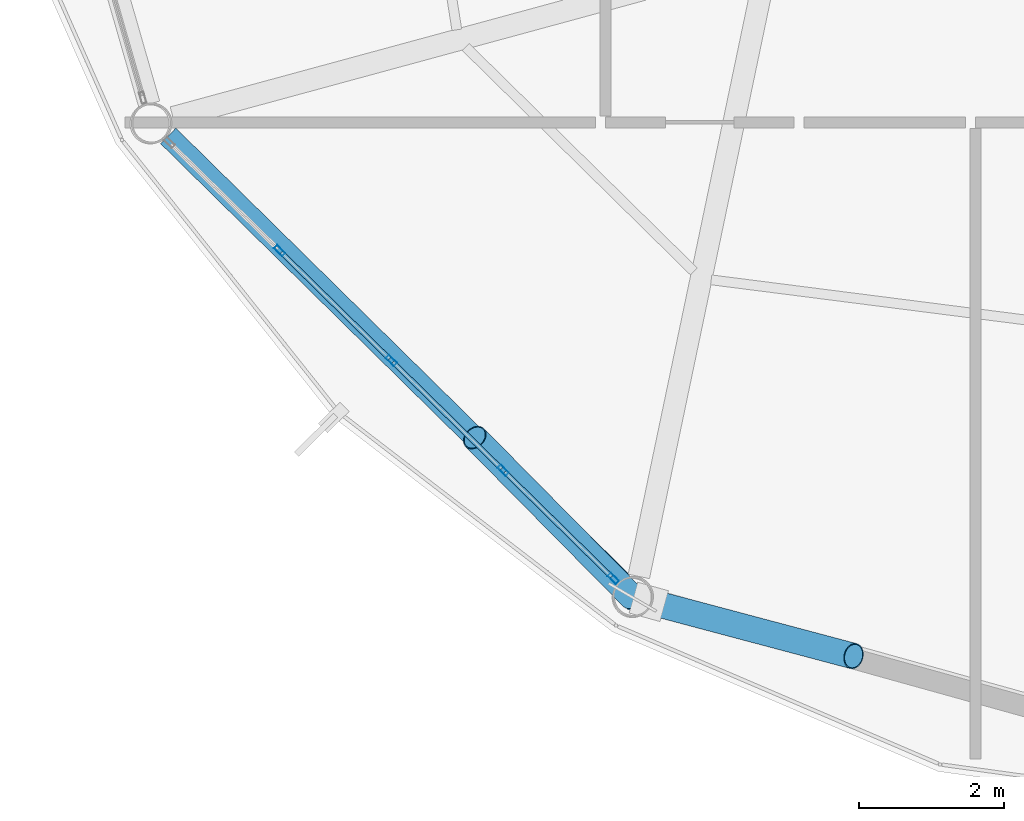
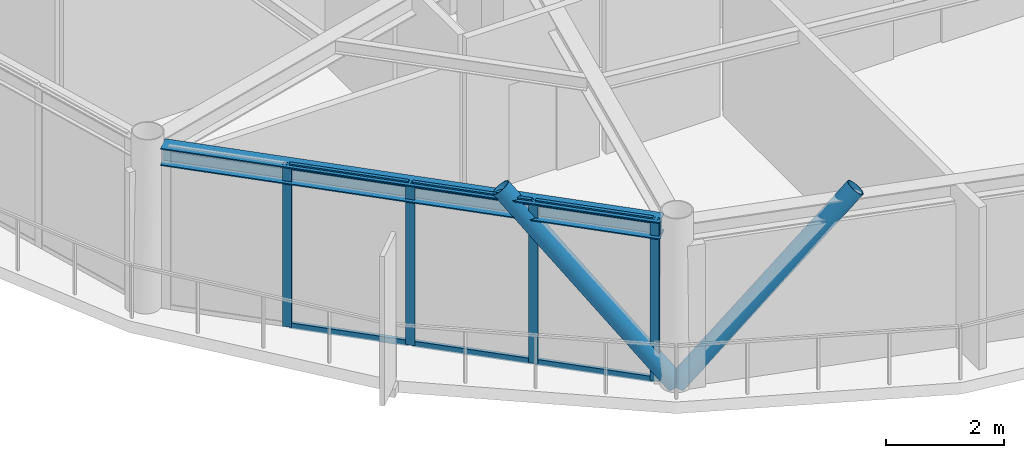
# One storey, part 2 of 25: 12 members, 1 beam, 1 element without a shape of its own.
"""IFC4 building model written with IfcOpenShell, lengths in metres."""

from ifc_helpers import new_model, si_unit, direction, frame, origin, origin_2d, place, context, subcontext, project, spatial, hollow_rectangle, hollow_circle, i_section, extrude, material, layer, layer_set, material_profile, profile_set, type_object, element, aggregate, save


model = new_model("IFC4")

# Units and contexts
model_context = context("Model", 3, precision=1e-05, world=origin(), true_north=direction((0.0, 1.0)))
body_context = subcontext(model_context, "Body", "Model", "MODEL_VIEW")
ifc_project = project(units=[si_unit("LENGTHUNIT", "METRE"), si_unit("AREAUNIT", "SQUARE_METRE"), si_unit("VOLUMEUNIT", "CUBIC_METRE"), si_unit("PLANEANGLEUNIT", "RADIAN"), si_unit("MASSUNIT", "GRAM", prefix="KILO")], contexts=[model_context])

# Site, building, storey
site_placement = place(None, origin())
site = spatial("IfcSite", under=ifc_project, at=site_placement, CompositionType="ELEMENT")
building_placement = place(site_placement, origin())
building = spatial("IfcBuilding", under=site, at=building_placement, Name="Varnakorn Sky Granary", CompositionType="ELEMENT")
storey_placement = place(building_placement, frame((0.0, 0.0, 259.800048828125)))
storey = spatial("IfcBuildingStorey", under=building, at=storey_placement, Name="L66", CompositionType="ELEMENT", Elevation=259.800048828125)

# Beam
ifc_material_1 = material(Name="Steel S355JR", Category="steel")
ifc_material_profile_1 = material_profile(ifc_material_1, i_section(OverallWidth=0.300048828125, OverallDepth=0.360107421875, WebThickness=0.012451171875, FlangeThickness=0.0224609375, at=origin_2d()), Name="HE 360 B")
ifc_profile_set_1 = profile_set([ifc_material_profile_1], Name="Steel S355JR")
beam_type = type_object("IfcBeamType", Name="BM-SPD-Z5", PredefinedType="SPANDREL", material=ifc_profile_set_1)
beam_placement = place(storey_placement, frame((-10.626953125, -9.08642578125, 3.179931640625), z_axis=(0.712727559125, -0.701440964347, 0.0), x_axis=(0.701440964347, 0.712727559125, 0.0)))
element("IfcBeam", 1, at=beam_placement, inside=storey, type_object=beam_type, Name="Perimeter Spandrel Ring Beam RB08 L66", PredefinedType="SPANDREL", context=body_context, shape_type="SweptSolid", body=[
    extrude(i_section(OverallWidth=0.300048828125, OverallDepth=0.360107421875, WebThickness=0.012451171875, FlangeThickness=0.0224609375, at=origin_2d()), origin(), (0.0, 0.0, 1.0), 8.760498046875),
])

# Curtain wall, members
ifc_material_2 = material(Name="Anodised Bronze Aluminium Alloy 6063-T6", Category="aluminium")
ifc_layer = layer(ifc_material_2, 0.159912109375, Name="Anodised Bronze Aluminium Alloy 6063-T6")
ifc_layer_set = layer_set([ifc_layer], Name="Anodised Bronze Aluminium Alloy 6063-T6")
curtain_wall_type = type_object("IfcCurtainWallType", Name="CW-OFF-1", PredefinedType="USERDEFINED", material=ifc_layer_set)
curtain_wall_placement = place(storey_placement, origin())
curtain_wall = element("IfcCurtainWall", 2, at=curtain_wall_placement, inside=storey, type_object=curtain_wall_type, Name="Unitised Curtain Wall CW6 CW-L66-B08", ObjectType="CURTAIN WALL", PredefinedType="USERDEFINED")
ifc_material_profile_2 = material_profile(ifc_material_2, hollow_rectangle(XDim=0.06494140625, YDim=0.159912109375, WallThickness=0.00341796875, at=origin_2d()), Name="ALU MULL 65x160")
ifc_profile_set_2 = profile_set([ifc_material_profile_2], Name="Anodised Bronze Aluminium Alloy 6063-T6")
member_type_1 = type_object("IfcMemberType", Name="CW-OFF-1-MULL", PredefinedType="MULLION", material=ifc_profile_set_2)
member_1_placement = place(storey_placement, frame((-4.493896484375, -15.185791015625, 0.0), z_axis=(0.0, 0.0, 1.0), x_axis=(-0.700774417108, -0.713382938068, 0.0)))
member_1 = element("IfcMember", 3, at=member_1_placement, type_object=member_type_1, Name="CW6 mullion 1", PredefinedType="MULLION", context=body_context, shape_type="SweptSolid", body=[
    extrude(hollow_rectangle(XDim=0.06494140625, YDim=0.159912109375, WallThickness=0.00341796875, at=origin_2d()), origin(), (0.0, 0.0, 1.0), 3.35986328125),
])
member_2_placement = place(storey_placement, frame((-6.010986328125, -13.6953125, 0.0), z_axis=(0.0, 0.0, 1.0), x_axis=(-0.700774417108, -0.713382938068, 0.0)))
member_2 = element("IfcMember", 4, at=member_2_placement, type_object=member_type_1, Name="CW6 mullion 2", PredefinedType="MULLION", context=body_context, shape_type="SweptSolid", body=[
    extrude(hollow_rectangle(XDim=0.06494140625, YDim=0.159912109375, WallThickness=0.00341796875, at=origin_2d()), origin(), (0.0, 0.0, 1.0), 3.35986328125),
])
member_3_placement = place(storey_placement, frame((-7.551513671875, -12.18212890625, 0.0), z_axis=(0.0, 0.0, 1.0), x_axis=(-0.700774417108, -0.713382938068, 0.0)))
member_3 = element("IfcMember", 5, at=member_3_placement, type_object=member_type_1, Name="CW6 mullion 3", PredefinedType="MULLION", context=body_context, shape_type="SweptSolid", body=[
    extrude(hollow_rectangle(XDim=0.06494140625, YDim=0.159912109375, WallThickness=0.00341796875, at=origin_2d()), origin(), (0.0, 0.0, 1.0), 3.35986328125),
])
member_4_placement = place(storey_placement, frame((-9.091796875, -10.6689453125, 0.0), z_axis=(0.0, 0.0, 1.0), x_axis=(-0.700774417108, -0.713382938068, 0.0)))
member_4 = element("IfcMember", 6, at=member_4_placement, type_object=member_type_1, Name="CW6 mullion 4", PredefinedType="MULLION", context=body_context, shape_type="SweptSolid", body=[
    extrude(hollow_rectangle(XDim=0.06494140625, YDim=0.159912109375, WallThickness=0.00341796875, at=origin_2d()), origin(), (0.0, 0.0, 1.0), 3.35986328125),
])
ifc_material_profile_3 = material_profile(ifc_material_2, hollow_rectangle(XDim=0.06494140625, YDim=0.1201171875, WallThickness=0.00341796875, at=origin_2d()), Name="ALU TRAN 65x120")
ifc_profile_set_3 = profile_set([ifc_material_profile_3], Name="Anodised Bronze Aluminium Alloy 6063-T6")
member_type_2 = type_object("IfcMemberType", Name="CW-OFF-1-TRAN", PredefinedType="USERDEFINED", material=ifc_profile_set_3)
member_5_placement = place(storey_placement, frame((-4.51708984375, -15.162841796875, 0.032470703125), z_axis=(-0.713355126045, 0.700802728409, 0.0), x_axis=(-0.700802728409, -0.713355126045, 0.0)))
member_5 = element("IfcMember", 7, at=member_5_placement, type_object=member_type_2, Name="CW6 transom 1.1", ObjectType="TRANSOM", PredefinedType="USERDEFINED", context=body_context, shape_type="SweptSolid", body=[
    extrude(hollow_rectangle(XDim=0.06494140625, YDim=0.1201171875, WallThickness=0.00341796875, at=origin_2d()), origin(), (0.0, 0.0, 1.0), 2.061767578125),
])
member_6_placement = place(storey_placement, frame((-4.51708984375, -15.162841796875, 3.327392578125), z_axis=(-0.713355126045, 0.700802728409, 0.0), x_axis=(-0.700802728409, -0.713355126045, 0.0)))
member_6 = element("IfcMember", 8, at=member_6_placement, type_object=member_type_2, Name="CW6 transom 1.2", ObjectType="TRANSOM", PredefinedType="USERDEFINED", context=body_context, shape_type="SweptSolid", body=[
    extrude(hollow_rectangle(XDim=0.06494140625, YDim=0.1201171875, WallThickness=0.00341796875, at=origin_2d()), origin(), (0.0, 0.0, 1.0), 2.061767578125),
])
member_7_placement = place(storey_placement, frame((-6.0341796875, -13.672607421875, 0.032470703125), z_axis=(-0.713431509714, 0.70072496812, 0.0), x_axis=(-0.70072496812, -0.713431509714, 0.0)))
member_7 = element("IfcMember", 9, at=member_7_placement, type_object=member_type_2, Name="CW6 transom 2.1", ObjectType="TRANSOM", PredefinedType="USERDEFINED", context=body_context, shape_type="SweptSolid", body=[
    extrude(hollow_rectangle(XDim=0.06494140625, YDim=0.1201171875, WallThickness=0.00341796875, at=origin_2d()), origin(), (0.0, 0.0, 1.0), 2.09423828125),
])
member_8_placement = place(storey_placement, frame((-6.0341796875, -13.672607421875, 3.327392578125), z_axis=(-0.713431509714, 0.70072496812, 0.0), x_axis=(-0.70072496812, -0.713431509714, 0.0)))
member_8 = element("IfcMember", 10, at=member_8_placement, type_object=member_type_2, Name="CW6 transom 2.2", ObjectType="TRANSOM", PredefinedType="USERDEFINED", context=body_context, shape_type="SweptSolid", body=[
    extrude(hollow_rectangle(XDim=0.06494140625, YDim=0.1201171875, WallThickness=0.00341796875, at=origin_2d()), origin(), (0.0, 0.0, 1.0), 2.09423828125),
])
member_9_placement = place(storey_placement, frame((-7.57470703125, -12.159423828125, 0.032470703125), z_axis=(-0.713374263044, 0.700783248106, 0.0), x_axis=(-0.700783248106, -0.713374263044, 0.0)))
member_9 = element("IfcMember", 11, at=member_9_placement, type_object=member_type_2, Name="CW6 transom 3.1", ObjectType="TRANSOM", PredefinedType="USERDEFINED", context=body_context, shape_type="SweptSolid", body=[
    extrude(hollow_rectangle(XDim=0.06494140625, YDim=0.1201171875, WallThickness=0.00341796875, at=origin_2d()), origin(), (0.0, 0.0, 1.0), 2.09423828125),
])
member_10_placement = place(storey_placement, frame((-7.57470703125, -12.159423828125, 3.327392578125), z_axis=(-0.713374263044, 0.700783248106, 0.0), x_axis=(-0.700783248106, -0.713374263044, 0.0)))
member_10 = element("IfcMember", 12, at=member_10_placement, type_object=member_type_2, Name="CW6 transom 3.2", ObjectType="TRANSOM", PredefinedType="USERDEFINED", context=body_context, shape_type="SweptSolid", body=[
    extrude(hollow_rectangle(XDim=0.06494140625, YDim=0.1201171875, WallThickness=0.00341796875, at=origin_2d()), origin(), (0.0, 0.0, 1.0), 2.09423828125),
])
aggregate(curtain_wall, [member_1, member_2, member_3, member_4, member_5, member_6, member_7, member_8, member_9, member_10])

# Members
ifc_material_3 = material(Name="Steel S460M", Category="steel")
ifc_material_profile_4 = material_profile(ifc_material_3, hollow_circle(Radius=0.177734375, WallThickness=0.01416015625, at=origin_2d()), Name="CHS 355.6x14")
ifc_profile_set_4 = profile_set([ifc_material_profile_4], Name="Steel S460M")
member_type_3 = type_object("IfcMemberType", Name="MB-DIAG-T5", PredefinedType="BRACE", material=ifc_profile_set_4)
member_11_placement = place(storey_placement, frame((-4.228515625, -15.4462890625, 0.0), z_axis=(-0.465987041714, 0.472007546129, 0.74837487488), x_axis=(-0.711630677266, -0.702553755362, 0.0)))
element("IfcMember", 13, at=member_11_placement, inside=storey, type_object=member_type_3, Name="Perimeter CHS Diagrid Brace DG08 L66", PredefinedType="BRACE", context=body_context, shape_type="SweptSolid", body=[
    extrude(hollow_circle(Radius=0.177734375, WallThickness=0.01416015625, at=origin_2d()), origin(), (0.0, 0.0, 1.0), 4.663330078125),
])
member_12_placement = place(storey_placement, frame((-4.228515625, -15.4462890625, 0.0), z_axis=(0.648059807708, -0.172341978011, 0.741833356117), x_axis=(0.257002712525, 0.966410681726, 0.0)))
element("IfcMember", 14, at=member_12_placement, inside=storey, type_object=member_type_3, Name="Perimeter CHS Diagrid Brace DG09 L66", PredefinedType="BRACE", context=body_context, shape_type="SweptSolid", body=[
    extrude(hollow_circle(Radius=0.177734375, WallThickness=0.01416015625, at=origin_2d()), origin(), (0.0, 0.0, 1.0), 4.70458984375),
])

save(model, "model.ifc")
